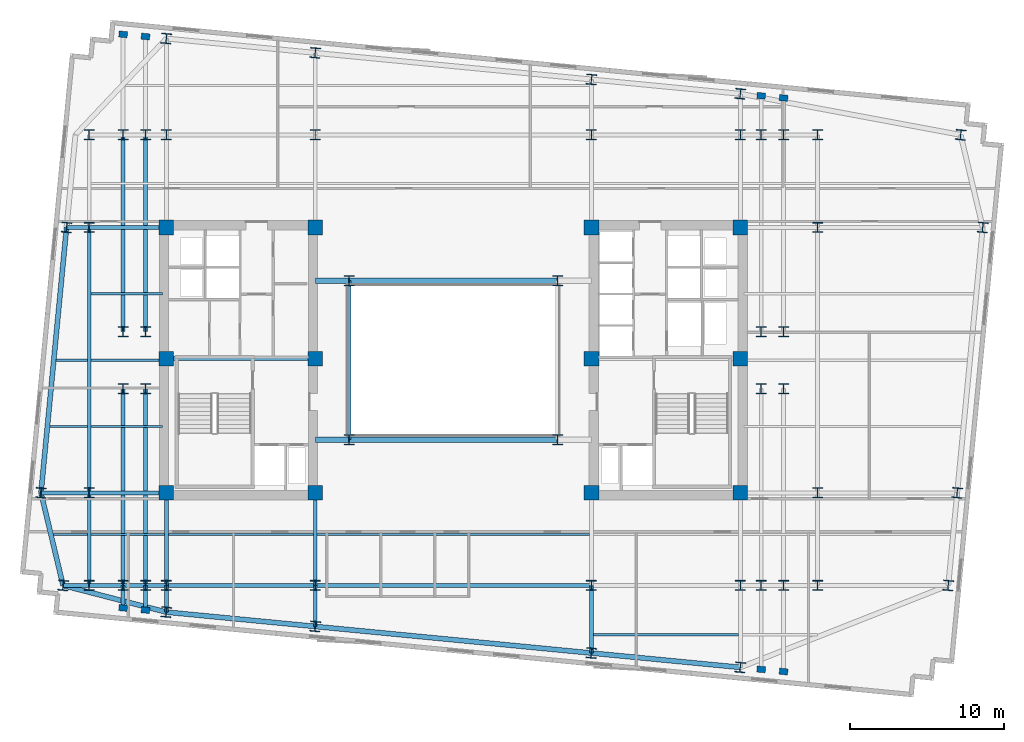
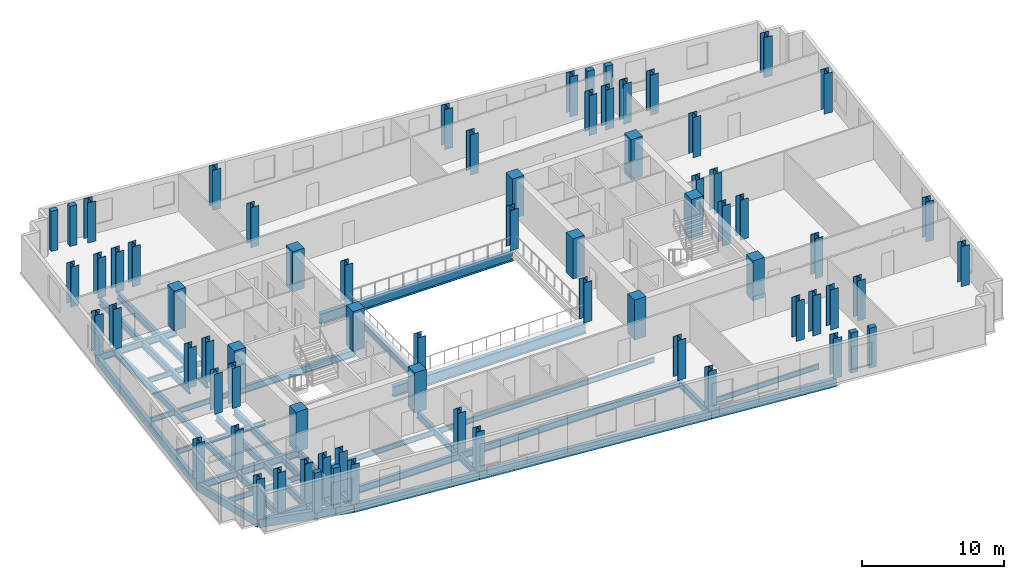
# One storey, part 1 of 9: 71 columns, 43 beams.
"""IFC4 building model written with IfcOpenShell, lengths in metres."""

import ifcopenshell
import ifcopenshell.guid

model = None  # the IFC model being written
_history = None  # IfcOwnerHistory: only IFC2X3 demands one
_inside = {}  # id of a spatial element -> (the spatial element, [elements in it])
_under = {}  # id of a project, library or spatial element -> (it, [spatial elements below it])
_declared = {}  # id of a project -> (the project, [libraries it declares])
_typed = {}  # id of a type object -> (the type object, [elements of that type])
_made_of = {}  # id of a material, layer set ... -> (it, [elements and type objects made of it])


def new_model(schema):
    """Start an empty IFC model of exactly this schema.

    Asked for "IFC4X3", IfcOpenShell would pick the latest addendum, in which some entities
    have other attributes; the version numbers below select the first issue.
    IFC2X3 requires an IfcOwnerHistory on every rooted entity: one is made here for all.
    """
    global model, _history
    if schema == "IFC4X3":
        model = ifcopenshell.file(schema_version=(4, 3, 0, 0))
    else:
        model = ifcopenshell.file(schema=schema)
    _inside.clear()
    _under.clear()
    _declared.clear()
    _typed.clear()
    _made_of.clear()
    _history = None
    if model.schema == "IFC2X3":
        org = make("IfcOrganization", Name="unknown")
        user = make(
            "IfcPersonAndOrganization",
            ThePerson=make("IfcPerson", FamilyName="unknown"),
            TheOrganization=org,
        )
        app = make(
            "IfcApplication",
            ApplicationDeveloper=org,
            Version="unknown",
            ApplicationFullName="unknown",
            ApplicationIdentifier="unknown",
        )
        _history = make(
            "IfcOwnerHistory",
            OwningUser=user,
            OwningApplication=app,
            ChangeAction="ADDED",
            CreationDate=0,
        )
    return model


def make(cls, **values):
    """One entity of the class cls with the attributes given. An attribute that is None is left unset."""
    return model.create_entity(
        cls, **{name: value for name, value in values.items() if value is not None}
    )


def rooted(cls, **values):
    """An entity with a GlobalId (a new one), such as an element, a storey or a relation."""
    return make(cls, GlobalId=ifcopenshell.guid.new(), OwnerHistory=_history, **values)


def si_unit(unit_type, name, prefix=None):
    """IfcSIUnit, for example si_unit("LENGTHUNIT", "METRE", prefix="MILLI")."""
    return make("IfcSIUnit", UnitType=unit_type, Prefix=prefix, Name=name)


def assignment(units):
    """IfcUnitAssignment: the units of a project."""
    return None if units is None else make("IfcUnitAssignment", Units=units)


def point(xyz):
    """IfcCartesianPoint."""
    return None if xyz is None else make("IfcCartesianPoint", Coordinates=xyz)


def direction(xyz):
    """IfcDirection."""
    return None if xyz is None else make("IfcDirection", DirectionRatios=xyz)


def frame(location, z_axis=None, x_axis=None):
    """IfcAxis2Placement3D, a coordinate frame: its origin and axes. An axis left out is left unset."""
    return make(
        "IfcAxis2Placement3D",
        Location=point(location),
        Axis=direction(z_axis),
        RefDirection=direction(x_axis),
    )


def frame_2d(location, x_axis=None):
    """IfcAxis2Placement2D, a coordinate frame in the plane: its origin and x axis."""
    return make(
        "IfcAxis2Placement2D", Location=point(location), RefDirection=direction(x_axis)
    )


def origin():
    """The frame at (0, 0, 0) with its axes left unset."""
    return frame((0.0, 0.0, 0.0))


def origin_2d():
    """The frame at (0, 0) in the plane with its x axis left unset."""
    return frame_2d((0.0, 0.0))


def place(relative_to, where):
    """IfcLocalPlacement: puts the frame where relative to a parent placement (None: the world)."""
    return make(
        "IfcLocalPlacement", PlacementRelTo=relative_to, RelativePlacement=where
    )


def context(
    kind, dimensions, precision=None, world=None, true_north=None, identifier=None
):
    """IfcGeometricRepresentationContext, for example the 3D "Model" context."""
    return make(
        "IfcGeometricRepresentationContext",
        ContextIdentifier=identifier,
        ContextType=kind,
        CoordinateSpaceDimension=dimensions,
        Precision=precision,
        WorldCoordinateSystem=world,
        TrueNorth=true_north,
    )


def subcontext(parent, identifier, kind, view, scale=None):
    """IfcGeometricRepresentationSubContext, for example "Body" below "Model"."""
    return make(
        "IfcGeometricRepresentationSubContext",
        ContextIdentifier=identifier,
        ContextType=kind,
        ParentContext=parent,
        TargetScale=scale,
        TargetView=view,
    )


def project(units=None, contexts=None):
    """IfcProject with its units and contexts."""
    return rooted(
        "IfcProject",
        Name="project",
        RepresentationContexts=contexts,
        UnitsInContext=assignment(units),
    )


def spatial(cls, under=None, at=None, **own):
    """A site, building, storey or space (cls), placed at a placement, below another one or the project."""
    s = rooted(cls, ObjectPlacement=at, **own)
    if under is not None:
        _under.setdefault(under.id(), (under, []))[1].append(s)
    return s


def profile(cls, at=None, kind="AREA", **sizes):
    """A parametric profile (cls). Its sizes go by their IFC names, for example OverallWidth=200.0."""
    return make(cls, ProfileType=kind, Position=at, **sizes)


def rectangle(**sizes):
    """IfcRectangleProfileDef."""
    return profile("IfcRectangleProfileDef", **sizes)


def i_section(**sizes):
    """IfcIShapeProfileDef."""
    return profile("IfcIShapeProfileDef", **sizes)


def extrude(swept, where, along, depth):
    """IfcExtrudedAreaSolid: the profile swept, set in the frame where, extruded along a direction by depth."""
    return make(
        "IfcExtrudedAreaSolid",
        SweptArea=swept,
        Position=where,
        ExtrudedDirection=direction(along),
        Depth=depth,
    )


def shape(context_of_items, identifier, shape_type, items):
    """IfcShapeRepresentation: the items that make up one representation, for example the "Body"."""
    return make(
        "IfcShapeRepresentation",
        ContextOfItems=context_of_items,
        RepresentationIdentifier=identifier,
        RepresentationType=shape_type,
        Items=items,
    )


def material(Name=None, Category=None):
    """IfcMaterial."""
    return make("IfcMaterial", Name=Name, Category=Category)


def material_profile(
    of_material, cross_section, Name=None, Category=None, Priority=None
):
    """IfcMaterialProfile: a cross section and its material."""
    return make(
        "IfcMaterialProfile",
        Name=Name,
        Material=of_material,
        Profile=cross_section,
        Priority=Priority,
        Category=Category,
    )


def profile_set(profiles, Name=None, composite=None):
    """IfcMaterialProfileSet."""
    return make(
        "IfcMaterialProfileSet",
        Name=Name,
        MaterialProfiles=profiles,
        CompositeProfile=composite,
    )


def made_of(thing, what):
    """Note that an element or type object is made of a material, layer set ...; save() writes the relation."""
    if what is not None:
        _made_of.setdefault(what.id(), (what, []))[1].append(thing)
    return thing


def type_object(cls, material=None, **own):
    """A type object (cls), such as IfcWallType, which elements share."""
    return made_of(rooted(cls, **own), material)


def element(
    cls,
    number,
    at=None,
    inside=None,
    cuts=None,
    type_object=None,
    material=None,
    context=None,
    identifier="Body",
    shape_type=None,
    held_by="IfcProductDefinitionShape",
    body=None,
    shapes=None,
    **own,
):
    """One element of the class cls, such as IfcWall. Its Tag is "e" and its number.

    at: its placement. inside: the storey or other place that contains it. cuts: it is an
    opening in that element (IfcRelVoidsElement). A single representation is given by context,
    identifier, shape_type and body (its items); several are given by shapes. held_by: the class
    of the entity that holds the representations. save() writes the other relations.
    """
    e = rooted(cls, Tag="e%d" % number, ObjectPlacement=at, **own)
    if body is not None:
        shapes = [shape(context, identifier, shape_type, body)]
    if shapes is not None:
        e.Representation = make(held_by, Representations=shapes)
    if inside is not None:
        _inside.setdefault(inside.id(), (inside, []))[1].append(e)
    if cuts is not None:
        rooted(
            "IfcRelVoidsElement", RelatingBuildingElement=cuts, RelatedOpeningElement=e
        )
    if type_object is not None:
        _typed.setdefault(type_object.id(), (type_object, []))[1].append(e)
    return made_of(e, material)


def aggregate(whole, parts):
    """IfcRelAggregates: a whole, such as a stair, and the parts it consists of."""
    return rooted("IfcRelAggregates", RelatingObject=whole, RelatedObjects=parts)


def save(model, path):
    """Write the relations noted so far, then the file.

    IfcRelAggregates (storeys below a building ...), IfcRelContainedInSpatialStructure (elements
    in a storey), IfcRelDefinesByType, IfcRelAssociatesMaterial and IfcRelDeclares: one each for
    every whole, place, type object, material and project.
    """
    for whole, parts in _under.values():
        aggregate(whole, parts)
    for where, things in _inside.values():
        rooted(
            "IfcRelContainedInSpatialStructure",
            RelatedElements=things,
            RelatingStructure=where,
        )
    for kind, things in _typed.values():
        rooted("IfcRelDefinesByType", RelatedObjects=things, RelatingType=kind)
    for what, things in _made_of.values():
        rooted("IfcRelAssociatesMaterial", RelatedObjects=things, RelatingMaterial=what)
    for by, libraries in _declared.values():
        rooted("IfcRelDeclares", RelatingContext=by, RelatedDefinitions=libraries)
    model.write(path)


model = new_model("IFC4")

# Units and contexts
model_context = context("Model", 3, precision=1e-05, world=origin(), true_north=direction((0.0, 1.0)))
body_context = subcontext(model_context, "Body", "Model", "MODEL_VIEW")
ifc_project = project(units=[si_unit("LENGTHUNIT", "METRE"), si_unit("AREAUNIT", "SQUARE_METRE"), si_unit("VOLUMEUNIT", "CUBIC_METRE"), si_unit("PLANEANGLEUNIT", "RADIAN"), si_unit("MASSUNIT", "GRAM", prefix="KILO")], contexts=[model_context])

# Site, building, storey
site_placement = place(None, origin())
site = spatial("IfcSite", under=ifc_project, at=site_placement, CompositionType="ELEMENT")
building_placement = place(site_placement, origin())
building = spatial("IfcBuilding", under=site, at=building_placement, Name="Velakula Bourse", CompositionType="ELEMENT")
storey_placement = place(building_placement, frame((0.0, 0.0, 181.10009765625)))
storey = spatial("IfcBuildingStorey", under=building, at=storey_placement, Name="L49", CompositionType="ELEMENT", Elevation=181.10009765625)

# Columns
ifc_material_1 = material(Name="Concrete M70 (fck 70 MPa)", Category="concrete")
ifc_material_profile_1 = material_profile(ifc_material_1, rectangle(XDim=0.949951171875, YDim=0.949951171875, at=origin_2d()), Name="Concrete M70 (fck 70 MPa)")
ifc_profile_set_1 = profile_set([ifc_material_profile_1], Name="Concrete M70 (fck 70 MPa)")
column_type_1 = type_object("IfcColumnType", Name="COL-RC-950", PredefinedType="COLUMN", material=ifc_profile_set_1)
for number, where, z_axis, x_axis, name in (
    (1, (-8.949951171875, -8.60009765625, 0.0), (0.0, 0.0, 1.0), (1.0, 0.0, 0.0), "L49 Core Boundary Column 01"),
    (2, (-8.949951171875, 0.10009765625, 0.0), (0.0, 0.0, 1.0), (1.0, 0.0, 0.0), "L49 Core Boundary Column 02"),
    (3, (-8.949951171875, 8.60009765625, 0.0), (0.0, 0.0, 1.0), (1.0, 0.0, 0.0), "L49 Core Boundary Column 03"),
    (4, (-18.60009765625, -8.60009765625, 0.0), (0.0, 0.0, 1.0), (1.0, 0.0, 0.0), "L49 Core Boundary Column 04"),
    (5, (-18.60009765625, 0.10009765625, 0.0), (0.0, 0.0, 1.0), (1.0, 0.0, 0.0), "L49 Core Boundary Column 05"),
    (6, (-18.60009765625, 8.60009765625, 0.0), (0.0, 0.0, 1.0), (1.0, 0.0, 0.0), "L49 Core Boundary Column 06"),
    (7, (8.949951171875, -8.60009765625, 0.0), (0.0, 0.0, 1.0), (1.0, 0.0, 0.0), "L49 Core Boundary Column 07"),
    (8, (8.949951171875, 0.10009765625, 0.0), (0.0, 0.0, 1.0), (1.0, 0.0, 0.0), "L49 Core Boundary Column 08"),
    (9, (8.949951171875, 8.60009765625, 0.0), (0.0, 0.0, 1.0), (1.0, 0.0, 0.0), "L49 Core Boundary Column 09"),
    (10, (18.60009765625, -8.60009765625, 0.0), (0.0, 0.0, 1.0), (1.0, 0.0, 0.0), "L49 Core Boundary Column 10"),
    (11, (18.60009765625, 0.10009765625, 0.0), (0.0, 0.0, 1.0), (1.0, 0.0, 0.0), "L49 Core Boundary Column 11"),
    (12, (18.60009765625, 8.60009765625, 0.0), (0.0, 0.0, 1.0), (1.0, 0.0, 0.0), "L49 Core Boundary Column 12"),
):
    element("IfcColumn", number, at=place(storey_placement, frame(where, z_axis=z_axis, x_axis=x_axis)), inside=storey, type_object=column_type_1, Name=name, PredefinedType="COLUMN", context=body_context, shape_type="SweptSolid", body=[
        extrude(rectangle(XDim=0.949951171875, YDim=0.949951171875, at=origin_2d()), origin(), (0.0, 0.0, 1.0), 3.449951171875),
    ])
ifc_material_2 = material(Name="Steel IS 2062 Grade 350 (E350)", Category="steel")
ifc_material_profile_2 = material_profile(ifc_material_2, i_section(OverallWidth=0.64990234375, OverallDepth=0.64990234375, WebThickness=0.028076171875, FlangeThickness=0.0400390625, at=origin_2d()), Name="Steel IS 2062 Grade 350 (E350)")
ifc_profile_set_2 = profile_set([ifc_material_profile_2], Name="Steel IS 2062 Grade 350 (E350)")
column_type_2 = type_object("IfcColumnType", Name="COL-STL-650", PredefinedType="COLUMN", material=ifc_profile_set_2)
for number, where, z_axis, x_axis, name in (
    (13, (-6.75, -5.14990234375, 0.0), (0.0, 0.0, 1.0), (1.0, 0.0, 0.0), "L49 Central Spine Column 01"),
    (14, (-6.75, 5.14990234375, 0.0), (0.0, 0.0, 1.0), (1.0, 0.0, 0.0), "L49 Central Spine Column 02"),
    (15, (6.75, -5.14990234375, 0.0), (0.0, 0.0, 1.0), (1.0, 0.0, 0.0), "L49 Central Spine Column 03"),
    (16, (6.75, 5.14990234375, 0.0), (0.0, 0.0, 1.0), (1.0, 0.0, 0.0), "L49 Central Spine Column 04"),
    (17, (-21.39990234375, -14.60009765625, 0.0), (0.0, 0.0, 1.0), (1.0, 0.0, 0.0), "L49 Tower Fulcrum Column 01"),
    (18, (-21.39990234375, 14.60009765625, 0.0), (0.0, 0.0, 1.0), (1.0, 0.0, 0.0), "L49 Tower Fulcrum Column 02"),
    (19, (-19.949951171875, -14.60009765625, 0.0), (0.0, 0.0, 1.0), (1.0, 0.0, 0.0), "L49 Tower Fulcrum Column 03"),
    (20, (-19.949951171875, 14.60009765625, 0.0), (0.0, 0.0, 1.0), (1.0, 0.0, 0.0), "L49 Tower Fulcrum Column 04"),
    (21, (-18.60009765625, -14.60009765625, 0.0), (0.0, 0.0, 1.0), (1.0, 0.0, 0.0), "L49 Tower Fulcrum Column 05"),
    (22, (-18.60009765625, 14.60009765625, 0.0), (0.0, 0.0, 1.0), (1.0, 0.0, 0.0), "L49 Tower Fulcrum Column 06"),
    (23, (-8.949951171875, -14.60009765625, 0.0), (0.0, 0.0, 1.0), (1.0, 0.0, 0.0), "L49 Tower Fulcrum Column 07"),
    (24, (-8.949951171875, 14.60009765625, 0.0), (0.0, 0.0, 1.0), (1.0, 0.0, 0.0), "L49 Tower Fulcrum Column 08"),
    (25, (8.949951171875, -14.60009765625, 0.0), (0.0, 0.0, 1.0), (1.0, 0.0, 0.0), "L49 Tower Fulcrum Column 09"),
    (26, (8.949951171875, 14.60009765625, 0.0), (0.0, 0.0, 1.0), (1.0, 0.0, 0.0), "L49 Tower Fulcrum Column 10"),
    (27, (18.60009765625, -14.60009765625, 0.0), (0.0, 0.0, 1.0), (1.0, 0.0, 0.0), "L49 Tower Fulcrum Column 11"),
    (28, (18.60009765625, 14.60009765625, 0.0), (0.0, 0.0, 1.0), (1.0, 0.0, 0.0), "L49 Tower Fulcrum Column 12"),
    (29, (19.949951171875, -14.60009765625, 0.0), (0.0, 0.0, 1.0), (1.0, 0.0, 0.0), "L49 Tower Fulcrum Column 13"),
    (30, (19.949951171875, 14.60009765625, 0.0), (0.0, 0.0, 1.0), (1.0, 0.0, 0.0), "L49 Tower Fulcrum Column 14"),
    (31, (21.39990234375, -14.60009765625, 0.0), (0.0, 0.0, 1.0), (1.0, 0.0, 0.0), "L49 Tower Fulcrum Column 15"),
    (32, (21.39990234375, 14.60009765625, 0.0), (0.0, 0.0, 1.0), (1.0, 0.0, 0.0), "L49 Tower Fulcrum Column 16"),
    (33, (-21.39990234375, -1.85009765625, 0.0), (0.0, 0.0, 1.0), (1.0, 0.0, 0.0), "L49 Tower Fulcrum Column 17"),
    (34, (-21.39990234375, 1.85009765625, 0.0), (0.0, 0.0, 1.0), (1.0, 0.0, 0.0), "L49 Tower Fulcrum Column 18"),
    (35, (-19.949951171875, -1.85009765625, 0.0), (0.0, 0.0, 1.0), (1.0, 0.0, 0.0), "L49 Tower Fulcrum Column 19"),
    (36, (-19.949951171875, 1.85009765625, 0.0), (0.0, 0.0, 1.0), (1.0, 0.0, 0.0), "L49 Tower Fulcrum Column 20"),
    (37, (19.949951171875, -1.85009765625, 0.0), (0.0, 0.0, 1.0), (1.0, 0.0, 0.0), "L49 Tower Fulcrum Column 21"),
    (38, (19.949951171875, 1.85009765625, 0.0), (0.0, 0.0, 1.0), (1.0, 0.0, 0.0), "L49 Tower Fulcrum Column 22"),
    (39, (21.39990234375, -1.85009765625, 0.0), (0.0, 0.0, 1.0), (1.0, 0.0, 0.0), "L49 Tower Fulcrum Column 23"),
    (40, (21.39990234375, 1.85009765625, 0.0), (0.0, 0.0, 1.0), (1.0, 0.0, 0.0), "L49 Tower Fulcrum Column 24"),
    (41, (-23.60009765625, -14.60009765625, 0.0), (0.0, 0.0, 1.0), (1.0, 0.0, 0.0), "L49 Mid-Wing Plumb Column 01"),
    (42, (-23.60009765625, -8.60009765625, 0.0), (0.0, 0.0, 1.0), (1.0, 0.0, 0.0), "L49 Mid-Wing Plumb Column 02"),
    (43, (-23.60009765625, 8.60009765625, 0.0), (0.0, 0.0, 1.0), (1.0, 0.0, 0.0), "L49 Mid-Wing Plumb Column 03"),
    (44, (-23.60009765625, 14.60009765625, 0.0), (0.0, 0.0, 1.0), (1.0, 0.0, 0.0), "L49 Mid-Wing Plumb Column 04"),
    (45, (23.60009765625, -14.60009765625, 0.0), (0.0, 0.0, 1.0), (1.0, 0.0, 0.0), "L49 Mid-Wing Plumb Column 05"),
    (46, (23.60009765625, -8.60009765625, 0.0), (0.0, 0.0, 1.0), (1.0, 0.0, 0.0), "L49 Mid-Wing Plumb Column 06"),
    (47, (23.60009765625, 8.60009765625, 0.0), (0.0, 0.0, 1.0), (1.0, 0.0, 0.0), "L49 Mid-Wing Plumb Column 07"),
    (48, (23.60009765625, 14.60009765625, 0.0), (0.0, 0.0, 1.0), (1.0, 0.0, 0.0), "L49 Mid-Wing Plumb Column 08"),
    (49, (-18.60009765625, -16.32861328125, 0.0), (0.0, 0.0, 1.0), (0.995396198367, -0.09584575252, 0.0), "L49 Block B4 Perimeter Column S1"),
    (50, (-8.949951171875, -17.2578125, 0.0), (0.0, 0.0, 1.0), (0.995396198367, -0.09584575252, 0.0), "L49 Block B4 Perimeter Column S2"),
    (51, (8.949951171875, -18.9814453125, 0.0), (0.0, 0.0, 1.0), (0.995396198367, -0.09584575252, 0.0), "L49 Block B4 Perimeter Column S3"),
    (52, (18.60009765625, -19.91064453125, 0.0), (0.0, 0.0, 1.0), (0.995396198367, -0.09584575252, 0.0), "L49 Block B4 Perimeter Column S4"),
    (53, (-18.60009765625, 20.84228515625, 0.0), (0.0, 0.0, 1.0), (0.995396198367, -0.09584575252, 0.0), "L49 Block B4 Perimeter Column N1"),
    (54, (-8.949951171875, 19.9130859375, 0.0), (0.0, 0.0, 1.0), (0.995396198367, -0.09584575252, 0.0), "L49 Block B4 Perimeter Column N2"),
    (55, (8.949951171875, 18.189697265625, 0.0), (0.0, 0.0, 1.0), (0.995396198367, -0.09584575252, 0.0), "L49 Block B4 Perimeter Column N3"),
    (56, (18.60009765625, 17.260498046875, 0.0), (0.0, 0.0, 1.0), (0.995396198367, -0.09584575252, 0.0), "L49 Block B4 Perimeter Column N4"),
    (57, (-25.29296875, -14.60009765625, 0.0), (0.0, 0.0, 1.0), (0.995396198367, -0.09584575252, 0.0), "L49 Block B4 Perimeter Column W1"),
    (58, (-26.724365234375, -8.60009765625, 0.0), (0.0, 0.0, 1.0), (0.995396198367, -0.09584575252, 0.0), "L49 Block B4 Perimeter Column W2"),
    (59, (-25.068115234375, 8.60009765625, 0.0), (0.0, 0.0, 1.0), (0.995396198367, -0.09584575252, 0.0), "L49 Block B4 Perimeter Column W3"),
    (60, (32.0712890625, -14.60009765625, 0.0), (0.0, 0.0, 1.0), (0.995396198367, -0.09584575252, 0.0), "L49 Block B4 Perimeter Column E1"),
    (61, (32.64892578125, -8.60009765625, 0.0), (0.0, 0.0, 1.0), (0.995396198367, -0.09584575252, 0.0), "L49 Block B4 Perimeter Column E2"),
    (62, (34.30517578125, 8.60009765625, 0.0), (0.0, 0.0, 1.0), (0.995396198367, -0.09584575252, 0.0), "L49 Block B4 Perimeter Column E3"),
    (63, (32.87353515625, 14.60009765625, 0.0), (0.0, 0.0, 1.0), (0.995396198367, -0.09584575252, 0.0), "L49 Block B4 Perimeter Column E4"),
):
    element("IfcColumn", number, at=place(storey_placement, frame(where, z_axis=z_axis, x_axis=x_axis)), inside=storey, type_object=column_type_2, Name=name, PredefinedType="COLUMN", context=body_context, shape_type="SweptSolid", body=[
        extrude(i_section(OverallWidth=0.64990234375, OverallDepth=0.64990234375, WebThickness=0.028076171875, FlangeThickness=0.0400390625, at=origin_2d()), origin(), (0.0, 0.0, 1.0), 3.449951171875),
    ])
ifc_material_3 = material(Name="Precast concrete M45 (fck 45 MPa)", Category="concrete")
ifc_material_profile_3 = material_profile(ifc_material_3, rectangle(XDim=0.550048828125, YDim=0.39990234375, at=origin_2d()), Name="Precast concrete M45 (fck 45 MPa)")
ifc_profile_set_3 = profile_set([ifc_material_profile_3], Name="Precast concrete M45 (fck 45 MPa)")
column_type_3 = type_object("IfcColumnType", Name="PIL-BRICK-550", PredefinedType="PILASTER", material=ifc_profile_set_3)
for number, where, z_axis, x_axis, name in (
    (64, (-21.39990234375, -16.05908203125, 0.0), (0.0, 0.0, 1.0), (0.995396198367, -0.09584575252, 0.0), "L49 Brick Pier Pilaster 01"),
    (65, (-19.949951171875, -16.19873046875, 0.0), (0.0, 0.0, 1.0), (0.995396198367, -0.09584575252, 0.0), "L49 Brick Pier Pilaster 02"),
    (66, (19.949951171875, -20.04052734375, 0.0), (0.0, 0.0, 1.0), (0.995396198367, -0.09584575252, 0.0), "L49 Brick Pier Pilaster 03"),
    (67, (21.39990234375, -20.180419921875, 0.0), (0.0, 0.0, 1.0), (0.995396198367, -0.09584575252, 0.0), "L49 Brick Pier Pilaster 04"),
    (68, (-21.39990234375, 21.112060546875, 0.0), (0.0, 0.0, 1.0), (0.995396198367, -0.09584575252, 0.0), "L49 Brick Pier Pilaster 05"),
    (69, (-19.949951171875, 20.972412109375, 0.0), (0.0, 0.0, 1.0), (0.995396198367, -0.09584575252, 0.0), "L49 Brick Pier Pilaster 06"),
    (70, (19.949951171875, 17.130615234375, 0.0), (0.0, 0.0, 1.0), (0.995396198367, -0.09584575252, 0.0), "L49 Brick Pier Pilaster 07"),
    (71, (21.39990234375, 16.990966796875, 0.0), (0.0, 0.0, 1.0), (0.995396198367, -0.09584575252, 0.0), "L49 Brick Pier Pilaster 08"),
):
    element("IfcColumn", number, at=place(storey_placement, frame(where, z_axis=z_axis, x_axis=x_axis)), inside=storey, type_object=column_type_3, Name=name, PredefinedType="PILASTER", context=body_context, shape_type="SweptSolid", body=[
        extrude(rectangle(XDim=0.550048828125, YDim=0.39990234375, at=origin_2d()), origin(), (0.0, 0.0, 1.0), 3.449951171875),
    ])

# Beams
ifc_material_profile_4 = material_profile(ifc_material_2, i_section(OverallWidth=0.25, OverallDepth=0.60009765625, WebThickness=0.01123046875, FlangeThickness=0.021240234375, at=origin_2d()), Name="Steel IS 2062 Grade 350 (E350)")
ifc_profile_set_4 = profile_set([ifc_material_profile_4], Name="Steel IS 2062 Grade 350 (E350)")
beam_type_1 = type_object("IfcBeamType", Name="BM-GRD-600M", PredefinedType="BEAM", material=ifc_profile_set_4)
beam_1_placement = place(storey_placement, frame((-18.60009765625, 0.10009765625, -0.47998046875), z_axis=(1.0, 0.0, 0.0), x_axis=(0.0, 1.0, 0.0)))
element("IfcBeam", 72, at=beam_1_placement, inside=storey, type_object=beam_type_1, Name="L49 Primary Backbone Girder CRW-M", PredefinedType="BEAM", context=body_context, shape_type="SweptSolid", body=[
    extrude(i_section(OverallWidth=0.25, OverallDepth=0.60009765625, WebThickness=0.01123046875, FlangeThickness=0.021240234375, at=origin_2d()), origin(), (0.0, 0.0, 1.0), 9.650146484375),
])
beam_2_placement = place(storey_placement, frame((-6.75, -5.14990234375, -0.47998046875), z_axis=(0.0, 1.0, 0.0), x_axis=(-1.0, 0.0, 0.0)))
element("IfcBeam", 73, at=beam_2_placement, inside=storey, type_object=beam_type_1, Name="L49 Primary Backbone Girder SPN-W", PredefinedType="BEAM", context=body_context, shape_type="SweptSolid", body=[
    extrude(i_section(OverallWidth=0.25, OverallDepth=0.60009765625, WebThickness=0.01123046875, FlangeThickness=0.021240234375, at=origin_2d()), origin(), (0.0, 0.0, 1.0), 10.2998046875),
])
for number, where, z_axis, x_axis, name in (
    (74, (-18.60009765625, -14.60009765625, -0.47998046875), (0.0, 1.0, 0.0), (-1.0, 0.0, 0.0), "L49 Fulcrum Grid Girder FLC-WS"),
    (75, (-8.949951171875, -14.60009765625, -0.47998046875), (0.0, 1.0, 0.0), (-1.0, 0.0, 0.0), "L49 Fulcrum Grid Girder FLC-WCS"),
):
    element("IfcBeam", number, at=place(storey_placement, frame(where, z_axis=z_axis, x_axis=x_axis)), inside=storey, type_object=beam_type_1, Name=name, PredefinedType="BEAM", context=body_context, shape_type="SweptSolid", body=[
        extrude(i_section(OverallWidth=0.25, OverallDepth=0.60009765625, WebThickness=0.01123046875, FlangeThickness=0.021240234375, at=origin_2d()), origin(), (0.0, 0.0, 1.0), 6.0),
    ])
beam_3_placement = place(storey_placement, frame((-18.60009765625, -14.60009765625, -0.47998046875), z_axis=(1.0, 0.0, 0.0), x_axis=(0.0, 1.0, 0.0)))
element("IfcBeam", 76, at=beam_3_placement, inside=storey, type_object=beam_type_1, Name="L49 Fulcrum Grid Girder FLC-S1", PredefinedType="BEAM", context=body_context, shape_type="SweptSolid", body=[
    extrude(i_section(OverallWidth=0.25, OverallDepth=0.60009765625, WebThickness=0.01123046875, FlangeThickness=0.021240234375, at=origin_2d()), origin(), (0.0, 0.0, 1.0), 9.650146484375),
])
beam_4_placement = place(storey_placement, frame((-8.949951171875, -14.60009765625, -0.47998046875), z_axis=(1.0, 0.0, 0.0), x_axis=(0.0, 1.0, 0.0)))
element("IfcBeam", 77, at=beam_4_placement, inside=storey, type_object=beam_type_1, Name="L49 Fulcrum Grid Girder FLC-S2", PredefinedType="BEAM", context=body_context, shape_type="SweptSolid", body=[
    extrude(i_section(OverallWidth=0.25, OverallDepth=0.60009765625, WebThickness=0.01123046875, FlangeThickness=0.021240234375, at=origin_2d()), origin(), (0.0, 0.0, 1.0), 17.89990234375),
])
for number, where, z_axis, x_axis, name in (
    (78, (-21.39990234375, -14.60009765625, -0.47998046875), (0.0, 1.0, 0.0), (-1.0, 0.0, 0.0), "L49 Fulcrum Grid Girder FLC-PSW1"),
    (79, (-21.39990234375, 1.85009765625, -0.47998046875), (0.0, 1.0, 0.0), (-1.0, 0.0, 0.0), "L49 Fulcrum Grid Girder FLC-PNW1"),
    (80, (-19.949951171875, -14.60009765625, -0.47998046875), (0.0, 1.0, 0.0), (-1.0, 0.0, 0.0), "L49 Fulcrum Grid Girder FLC-PSW2"),
    (81, (-19.949951171875, 1.85009765625, -0.47998046875), (0.0, 1.0, 0.0), (-1.0, 0.0, 0.0), "L49 Fulcrum Grid Girder FLC-PNW2"),
):
    element("IfcBeam", number, at=place(storey_placement, frame(where, z_axis=z_axis, x_axis=x_axis)), inside=storey, type_object=beam_type_1, Name=name, PredefinedType="BEAM", context=body_context, shape_type="SweptSolid", body=[
        extrude(i_section(OverallWidth=0.25, OverallDepth=0.60009765625, WebThickness=0.01123046875, FlangeThickness=0.021240234375, at=origin_2d()), origin(), (0.0, 0.0, 1.0), 12.75),
    ])
for number, where, z_axis, x_axis, name in (
    (82, (-23.60009765625, -14.60009765625, -0.47998046875), (1.0, 0.0, 0.0), (0.0, 1.0, 0.0), "L49 Fulcrum Grid Girder MWG-WS1"),
    (83, (-23.60009765625, -8.60009765625, -0.47998046875), (1.0, 0.0, 0.0), (0.0, 1.0, 0.0), "L49 Fulcrum Grid Girder MWG-WS2"),
    (84, (-23.60009765625, 8.60009765625, -0.47998046875), (1.0, 0.0, 0.0), (0.0, 1.0, 0.0), "L49 Fulcrum Grid Girder MWG-WN1"),
):
    element("IfcBeam", number, at=place(storey_placement, frame(where, z_axis=z_axis, x_axis=x_axis)), inside=storey, type_object=beam_type_1, Name=name, PredefinedType="BEAM", context=body_context, shape_type="SweptSolid", body=[
        extrude(i_section(OverallWidth=0.25, OverallDepth=0.60009765625, WebThickness=0.01123046875, FlangeThickness=0.021240234375, at=origin_2d()), origin(), (0.0, 0.0, 1.0), 5.0),
    ])
beam_5_placement = place(storey_placement, frame((-23.60009765625, -14.60009765625, -0.47998046875), z_axis=(0.0, 1.0, 0.0), x_axis=(-1.0, 0.0, 0.0)))
element("IfcBeam", 85, at=beam_5_placement, inside=storey, type_object=beam_type_1, Name="L49 Fulcrum Grid Girder MWG-WNS1", PredefinedType="BEAM", context=body_context, shape_type="SweptSolid", body=[
    extrude(i_section(OverallWidth=0.25, OverallDepth=0.60009765625, WebThickness=0.01123046875, FlangeThickness=0.021240234375, at=origin_2d()), origin(), (0.0, 0.0, 1.0), 6.0),
])
beam_6_placement = place(storey_placement, frame((-23.60009765625, -8.60009765625, -0.47998046875), z_axis=(0.0, 1.0, 0.0), x_axis=(-1.0, 0.0, 0.0)))
element("IfcBeam", 86, at=beam_6_placement, inside=storey, type_object=beam_type_1, Name="L49 Fulcrum Grid Girder MWG-WNS2", PredefinedType="BEAM", context=body_context, shape_type="SweptSolid", body=[
    extrude(i_section(OverallWidth=0.25, OverallDepth=0.60009765625, WebThickness=0.01123046875, FlangeThickness=0.021240234375, at=origin_2d()), origin(), (0.0, 0.0, 1.0), 17.2001953125),
])
beam_7_placement = place(storey_placement, frame((-18.60009765625, -14.60009765625, -0.47998046875), z_axis=(0.0, -1.0, 0.0), x_axis=(1.0, 0.0, 0.0)))
element("IfcBeam", 87, at=beam_7_placement, inside=storey, type_object=beam_type_1, Name="L49 Perimeter Tie Girder S1", PredefinedType="BEAM", context=body_context, shape_type="SweptSolid", body=[
    extrude(i_section(OverallWidth=0.25, OverallDepth=0.60009765625, WebThickness=0.01123046875, FlangeThickness=0.021240234375, at=origin_2d()), origin(), (0.0, 0.0, 1.0), 1.728515625),
])
beam_8_placement = place(storey_placement, frame((-8.949951171875, -14.60009765625, -0.47998046875), z_axis=(0.0, -1.0, 0.0), x_axis=(1.0, 0.0, 0.0)))
element("IfcBeam", 88, at=beam_8_placement, inside=storey, type_object=beam_type_1, Name="L49 Perimeter Tie Girder S2", PredefinedType="BEAM", context=body_context, shape_type="SweptSolid", body=[
    extrude(i_section(OverallWidth=0.25, OverallDepth=0.60009765625, WebThickness=0.01123046875, FlangeThickness=0.021240234375, at=origin_2d()), origin(), (0.0, 0.0, 1.0), 2.65771484375),
])
beam_9_placement = place(storey_placement, frame((8.949951171875, -14.60009765625, -0.47998046875), z_axis=(0.0, -1.0, 0.0), x_axis=(1.0, 0.0, 0.0)))
element("IfcBeam", 89, at=beam_9_placement, inside=storey, type_object=beam_type_1, Name="L49 Perimeter Tie Girder S3", PredefinedType="BEAM", context=body_context, shape_type="SweptSolid", body=[
    extrude(i_section(OverallWidth=0.25, OverallDepth=0.60009765625, WebThickness=0.01123046875, FlangeThickness=0.021240234375, at=origin_2d()), origin(), (0.0, 0.0, 1.0), 4.38134765625),
])
beam_10_placement = place(storey_placement, frame((-23.60009765625, -14.60009765625, -0.47998046875), z_axis=(-1.0, 0.0, 0.0), x_axis=(0.0, -1.0, 0.0)))
element("IfcBeam", 90, at=beam_10_placement, inside=storey, type_object=beam_type_1, Name="L49 Perimeter Tie Girder W1", PredefinedType="BEAM", context=body_context, shape_type="SweptSolid", body=[
    extrude(i_section(OverallWidth=0.25, OverallDepth=0.60009765625, WebThickness=0.01123046875, FlangeThickness=0.021240234375, at=origin_2d()), origin(), (0.0, 0.0, 1.0), 1.69287109375),
])
beam_11_placement = place(storey_placement, frame((-23.60009765625, -8.60009765625, -0.47998046875), z_axis=(-1.0, 0.0, 0.0), x_axis=(0.0, -1.0, 0.0)))
element("IfcBeam", 91, at=beam_11_placement, inside=storey, type_object=beam_type_1, Name="L49 Perimeter Tie Girder W2", PredefinedType="BEAM", context=body_context, shape_type="SweptSolid", body=[
    extrude(i_section(OverallWidth=0.25, OverallDepth=0.60009765625, WebThickness=0.01123046875, FlangeThickness=0.021240234375, at=origin_2d()), origin(), (0.0, 0.0, 1.0), 3.124267578125),
])
beam_12_placement = place(storey_placement, frame((-23.60009765625, 8.60009765625, -0.47998046875), z_axis=(-1.0, 0.0, 0.0), x_axis=(0.0, -1.0, 0.0)))
element("IfcBeam", 92, at=beam_12_placement, inside=storey, type_object=beam_type_1, Name="L49 Perimeter Tie Girder W3", PredefinedType="BEAM", context=body_context, shape_type="SweptSolid", body=[
    extrude(i_section(OverallWidth=0.25, OverallDepth=0.60009765625, WebThickness=0.01123046875, FlangeThickness=0.021240234375, at=origin_2d()), origin(), (0.0, 0.0, 1.0), 1.468017578125),
])
beam_13_placement = place(storey_placement, frame((-21.39990234375, -14.60009765625, -0.47998046875), z_axis=(0.0, -1.0, 0.0), x_axis=(1.0, 0.0, 0.0)))
element("IfcBeam", 93, at=beam_13_placement, inside=storey, type_object=beam_type_1, Name="L49 Perimeter Tie Girder P01", PredefinedType="BEAM", context=body_context, shape_type="SweptSolid", body=[
    extrude(i_section(OverallWidth=0.25, OverallDepth=0.60009765625, WebThickness=0.01123046875, FlangeThickness=0.021240234375, at=origin_2d()), origin(), (0.0, 0.0, 1.0), 1.458984375),
])
beam_14_placement = place(storey_placement, frame((-19.949951171875, -14.60009765625, -0.47998046875), z_axis=(0.0, -1.0, 0.0), x_axis=(1.0, 0.0, 0.0)))
element("IfcBeam", 94, at=beam_14_placement, inside=storey, type_object=beam_type_1, Name="L49 Perimeter Tie Girder P02", PredefinedType="BEAM", context=body_context, shape_type="SweptSolid", body=[
    extrude(i_section(OverallWidth=0.25, OverallDepth=0.60009765625, WebThickness=0.01123046875, FlangeThickness=0.021240234375, at=origin_2d()), origin(), (0.0, 0.0, 1.0), 1.5986328125),
])
ifc_material_profile_5 = material_profile(ifc_material_2, i_section(OverallWidth=0.35009765625, OverallDepth=0.89990234375, WebThickness=0.02001953125, FlangeThickness=0.031982421875, at=origin_2d()), Name="Steel IS 2062 Grade 350 (E350)")
ifc_profile_set_5 = profile_set([ifc_material_profile_5], Name="Steel IS 2062 Grade 350 (E350)")
beam_type_2 = type_object("IfcBeamType", Name="BM-LNK-900", PredefinedType="BEAM", material=ifc_profile_set_5)
beam_15_placement = place(storey_placement, frame((-8.949951171875, -5.14990234375, -0.630126953125), z_axis=(1.0, 0.0, 0.0), x_axis=(0.0, 1.0, 0.0)))
element("IfcBeam", 95, at=beam_15_placement, inside=storey, type_object=beam_type_2, Name="L49 Primary Backbone Girder LNK-S1", PredefinedType="BEAM", context=body_context, shape_type="SweptSolid", body=[
    extrude(i_section(OverallWidth=0.35009765625, OverallDepth=0.89990234375, WebThickness=0.02001953125, FlangeThickness=0.031982421875, at=origin_2d()), origin(), (0.0, 0.0, 1.0), 2.199951171875),
])
beam_16_placement = place(storey_placement, frame((-6.75, -5.14990234375, -0.630126953125), z_axis=(1.0, 0.0, 0.0), x_axis=(0.0, 1.0, 0.0)))
element("IfcBeam", 96, at=beam_16_placement, inside=storey, type_object=beam_type_2, Name="L49 Primary Backbone Girder LNK-S2", PredefinedType="BEAM", context=body_context, shape_type="SweptSolid", body=[
    extrude(i_section(OverallWidth=0.35009765625, OverallDepth=0.89990234375, WebThickness=0.02001953125, FlangeThickness=0.031982421875, at=origin_2d()), origin(), (0.0, 0.0, 1.0), 13.5),
])
beam_17_placement = place(storey_placement, frame((-8.949951171875, 5.14990234375, -0.630126953125), z_axis=(1.0, 0.0, 0.0), x_axis=(0.0, 1.0, 0.0)))
element("IfcBeam", 97, at=beam_17_placement, inside=storey, type_object=beam_type_2, Name="L49 Primary Backbone Girder LNK-N1", PredefinedType="BEAM", context=body_context, shape_type="SweptSolid", body=[
    extrude(i_section(OverallWidth=0.35009765625, OverallDepth=0.89990234375, WebThickness=0.02001953125, FlangeThickness=0.031982421875, at=origin_2d()), origin(), (0.0, 0.0, 1.0), 2.199951171875),
])
beam_18_placement = place(storey_placement, frame((-6.75, 5.14990234375, -0.630126953125), z_axis=(1.0, 0.0, 0.0), x_axis=(0.0, 1.0, 0.0)))
element("IfcBeam", 98, at=beam_18_placement, inside=storey, type_object=beam_type_2, Name="L49 Primary Backbone Girder LNK-N2", PredefinedType="BEAM", context=body_context, shape_type="SweptSolid", body=[
    extrude(i_section(OverallWidth=0.35009765625, OverallDepth=0.89990234375, WebThickness=0.02001953125, FlangeThickness=0.031982421875, at=origin_2d()), origin(), (0.0, 0.0, 1.0), 13.5),
])
ifc_material_profile_6 = material_profile(ifc_material_2, i_section(OverallWidth=0.14990234375, OverallDepth=0.449951171875, WebThickness=0.009521484375, FlangeThickness=0.017333984375, at=origin_2d()), Name="Steel IS 2062 Grade 350 (E350)")
ifc_profile_set_6 = profile_set([ifc_material_profile_6], Name="Steel IS 2062 Grade 350 (E350)")
beam_type_3 = type_object("IfcBeamType", Name="JST-TWR-450", PredefinedType="JOIST", material=ifc_profile_set_6)
beam_19_placement = place(storey_placement, frame((9.074951171875, -17.800048828125, -0.405029296875), z_axis=(1.0, 0.0, 0.0), x_axis=(0.0, 1.0, 0.0)))
element("IfcBeam", 99, at=beam_19_placement, inside=storey, type_object=beam_type_3, Name="L49 Trading Floor Composite Joist 02", PredefinedType="JOIST", context=body_context, shape_type="SweptSolid", body=[
    extrude(i_section(OverallWidth=0.14990234375, OverallDepth=0.449951171875, WebThickness=0.009521484375, FlangeThickness=0.017333984375, at=origin_2d()), origin(), (0.0, 0.0, 1.0), 9.400146484375),
])
beam_20_placement = place(storey_placement, frame((-25.915771484375, -11.300048828125, -0.405029296875), z_axis=(1.0, 0.0, 0.0), x_axis=(0.0, 1.0, 0.0)))
element("IfcBeam", 100, at=beam_20_placement, inside=storey, type_object=beam_type_3, Name="L49 Trading Floor Composite Joist 04", PredefinedType="JOIST", context=body_context, shape_type="SweptSolid", body=[
    extrude(i_section(OverallWidth=0.14990234375, OverallDepth=0.449951171875, WebThickness=0.009521484375, FlangeThickness=0.017333984375, at=origin_2d()), origin(), (0.0, 0.0, 1.0), 2.190673828125),
])
beam_21_placement = place(storey_placement, frame((-23.47509765625, -11.300048828125, -0.405029296875), z_axis=(1.0, 0.0, 0.0), x_axis=(0.0, 1.0, 0.0)))
element("IfcBeam", 101, at=beam_21_placement, inside=storey, type_object=beam_type_3, Name="L49 Trading Floor Composite Joist 05", PredefinedType="JOIST", context=body_context, shape_type="SweptSolid", body=[
    extrude(i_section(OverallWidth=0.14990234375, OverallDepth=0.449951171875, WebThickness=0.009521484375, FlangeThickness=0.017333984375, at=origin_2d()), origin(), (0.0, 0.0, 1.0), 4.75),
])
beam_22_placement = place(storey_placement, frame((-18.47509765625, -11.300048828125, -0.405029296875), z_axis=(1.0, 0.0, 0.0), x_axis=(0.0, 1.0, 0.0)))
element("IfcBeam", 102, at=beam_22_placement, inside=storey, type_object=beam_type_3, Name="L49 Trading Floor Composite Joist 06", PredefinedType="JOIST", context=body_context, shape_type="SweptSolid", body=[
    extrude(i_section(OverallWidth=0.14990234375, OverallDepth=0.449951171875, WebThickness=0.009521484375, FlangeThickness=0.017333984375, at=origin_2d()), origin(), (0.0, 0.0, 1.0), 9.400146484375),
])
beam_23_placement = place(storey_placement, frame((-8.824951171875, -11.300048828125, -0.405029296875), z_axis=(1.0, 0.0, 0.0), x_axis=(0.0, 1.0, 0.0)))
element("IfcBeam", 103, at=beam_23_placement, inside=storey, type_object=beam_type_3, Name="L49 Trading Floor Composite Joist 07", PredefinedType="JOIST", context=body_context, shape_type="SweptSolid", body=[
    extrude(i_section(OverallWidth=0.14990234375, OverallDepth=0.449951171875, WebThickness=0.009521484375, FlangeThickness=0.017333984375, at=origin_2d()), origin(), (0.0, 0.0, 1.0), 17.64990234375),
])
beam_24_placement = place(storey_placement, frame((-26.149658203125, -4.300048828125, -0.405029296875), z_axis=(1.0, 0.0, 0.0), x_axis=(0.0, 1.0, 0.0)))
element("IfcBeam", 104, at=beam_24_placement, inside=storey, type_object=beam_type_3, Name="L49 Trading Floor Composite Joist 21", PredefinedType="JOIST", context=body_context, shape_type="SweptSolid", body=[
    extrude(i_section(OverallWidth=0.14990234375, OverallDepth=0.449951171875, WebThickness=0.009521484375, FlangeThickness=0.017333984375, at=origin_2d()), origin(), (0.0, 0.0, 1.0), 2.424560546875),
])
beam_25_placement = place(storey_placement, frame((-23.47509765625, -4.300048828125, -0.405029296875), z_axis=(1.0, 0.0, 0.0), x_axis=(0.0, 1.0, 0.0)))
element("IfcBeam", 105, at=beam_25_placement, inside=storey, type_object=beam_type_3, Name="L49 Trading Floor Composite Joist 22", PredefinedType="JOIST", context=body_context, shape_type="SweptSolid", body=[
    extrude(i_section(OverallWidth=0.14990234375, OverallDepth=0.449951171875, WebThickness=0.009521484375, FlangeThickness=0.017333984375, at=origin_2d()), origin(), (0.0, 0.0, 1.0), 4.625),
])
beam_26_placement = place(storey_placement, frame((-25.735595703125, 0.0, -0.405029296875), z_axis=(1.0, 0.0, 0.0), x_axis=(0.0, 1.0, 0.0)))
element("IfcBeam", 106, at=beam_26_placement, inside=storey, type_object=beam_type_3, Name="L49 Trading Floor Composite Joist 25", PredefinedType="JOIST", context=body_context, shape_type="SweptSolid", body=[
    extrude(i_section(OverallWidth=0.14990234375, OverallDepth=0.449951171875, WebThickness=0.009521484375, FlangeThickness=0.017333984375, at=origin_2d()), origin(), (0.0, 0.0, 1.0), 2.010498046875),
])
for number, where, z_axis, x_axis, name in (
    (107, (-23.47509765625, 0.0, -0.405029296875), (1.0, 0.0, 0.0), (0.0, 1.0, 0.0), "L49 Trading Floor Composite Joist 26"),
    (108, (-23.47509765625, 4.300048828125, -0.405029296875), (1.0, 0.0, 0.0), (0.0, 1.0, 0.0), "L49 Trading Floor Composite Joist 29"),
):
    element("IfcBeam", number, at=place(storey_placement, frame(where, z_axis=z_axis, x_axis=x_axis)), inside=storey, type_object=beam_type_3, Name=name, PredefinedType="JOIST", context=body_context, shape_type="SweptSolid", body=[
        extrude(i_section(OverallWidth=0.14990234375, OverallDepth=0.449951171875, WebThickness=0.009521484375, FlangeThickness=0.017333984375, at=origin_2d()), origin(), (0.0, 0.0, 1.0), 4.625),
    ])
ifc_material_profile_7 = material_profile(ifc_material_3, rectangle(XDim=0.320068359375, YDim=0.679931640625, at=origin_2d()), Name="Precast concrete M45 (fck 45 MPa)")
ifc_profile_set_7 = profile_set([ifc_material_profile_7], Name="Precast concrete M45 (fck 45 MPa)")
beam_type_4 = type_object("IfcBeamType", Name="SPN-BRICK-680", PredefinedType="SPANDREL", material=ifc_profile_set_7)
beam_27_placement = place(storey_placement, frame((-18.60009765625, -16.32861328125, -0.52001953125), z_axis=(0.99539623971, -0.095845323155, 0.0), x_axis=(0.095845323155, 0.99539623971, 0.0)))
element("IfcBeam", 109, at=beam_27_placement, inside=storey, type_object=beam_type_4, Name="L49 Brick-Faced Precast Spandrel S1-S2", PredefinedType="SPANDREL", context=body_context, shape_type="SweptSolid", body=[
    extrude(rectangle(XDim=0.320068359375, YDim=0.679931640625, at=origin_2d()), origin(), (0.0, 0.0, 1.0), 9.69482421875),
])
beam_28_placement = place(storey_placement, frame((-8.949951171875, -17.2578125, -0.52001953125), z_axis=(0.995395836254, -0.095849513134, 0.0), x_axis=(0.095849513134, 0.995395836254, 0.0)))
element("IfcBeam", 110, at=beam_28_placement, inside=storey, type_object=beam_type_4, Name="L49 Brick-Faced Precast Spandrel S2-S3", PredefinedType="SPANDREL", context=body_context, shape_type="SweptSolid", body=[
    extrude(rectangle(XDim=0.320068359375, YDim=0.679931640625, at=origin_2d()), origin(), (0.0, 0.0, 1.0), 17.982666015625),
])
beam_29_placement = place(storey_placement, frame((8.949951171875, -18.9814453125, -0.52001953125), z_axis=(0.99539623971, -0.095845323155, 0.0), x_axis=(0.095845323155, 0.99539623971, 0.0)))
element("IfcBeam", 111, at=beam_29_placement, inside=storey, type_object=beam_type_4, Name="L49 Brick-Faced Precast Spandrel S3-S4", PredefinedType="SPANDREL", context=body_context, shape_type="SweptSolid", body=[
    extrude(rectangle(XDim=0.320068359375, YDim=0.679931640625, at=origin_2d()), origin(), (0.0, 0.0, 1.0), 9.69482421875),
])
beam_30_placement = place(storey_placement, frame((-25.29296875, -14.60009765625, -0.52001953125), z_axis=(-0.232053924044, 0.97270292296, 0.0), x_axis=(-0.97270292296, -0.232053924044, 0.0)))
element("IfcBeam", 112, at=beam_30_placement, inside=storey, type_object=beam_type_4, Name="L49 Brick-Faced Precast Spandrel W1-W2", PredefinedType="SPANDREL", context=body_context, shape_type="SweptSolid", body=[
    extrude(rectangle(XDim=0.320068359375, YDim=0.679931640625, at=origin_2d()), origin(), (0.0, 0.0, 1.0), 6.16845703125),
])
beam_31_placement = place(storey_placement, frame((-26.724365234375, -8.60009765625, -0.52001953125), z_axis=(0.095849167925, 0.995395869495, 0.0), x_axis=(-0.995395869495, 0.095849167925, 0.0)))
element("IfcBeam", 113, at=beam_31_placement, inside=storey, type_object=beam_type_4, Name="L49 Brick-Faced Precast Spandrel W2-W3", PredefinedType="SPANDREL", context=body_context, shape_type="SweptSolid", body=[
    extrude(rectangle(XDim=0.320068359375, YDim=0.679931640625, at=origin_2d()), origin(), (0.0, 0.0, 1.0), 17.27978515625),
])
beam_32_placement = place(storey_placement, frame((-25.29296875, -14.60009765625, -0.52001953125), z_axis=(0.968230996313, -0.250057468954, 0.0), x_axis=(0.250057468954, 0.968230996313, 0.0)))
element("IfcBeam", 114, at=beam_32_placement, inside=storey, type_object=beam_type_4, Name="L49 Brick-Faced Precast Spandrel W1-S1", PredefinedType="SPANDREL", context=body_context, shape_type="SweptSolid", body=[
    extrude(rectangle(XDim=0.320068359375, YDim=0.679931640625, at=origin_2d()), origin(), (0.0, 0.0, 1.0), 6.912353515625),
])

save(model, "model.ifc")
